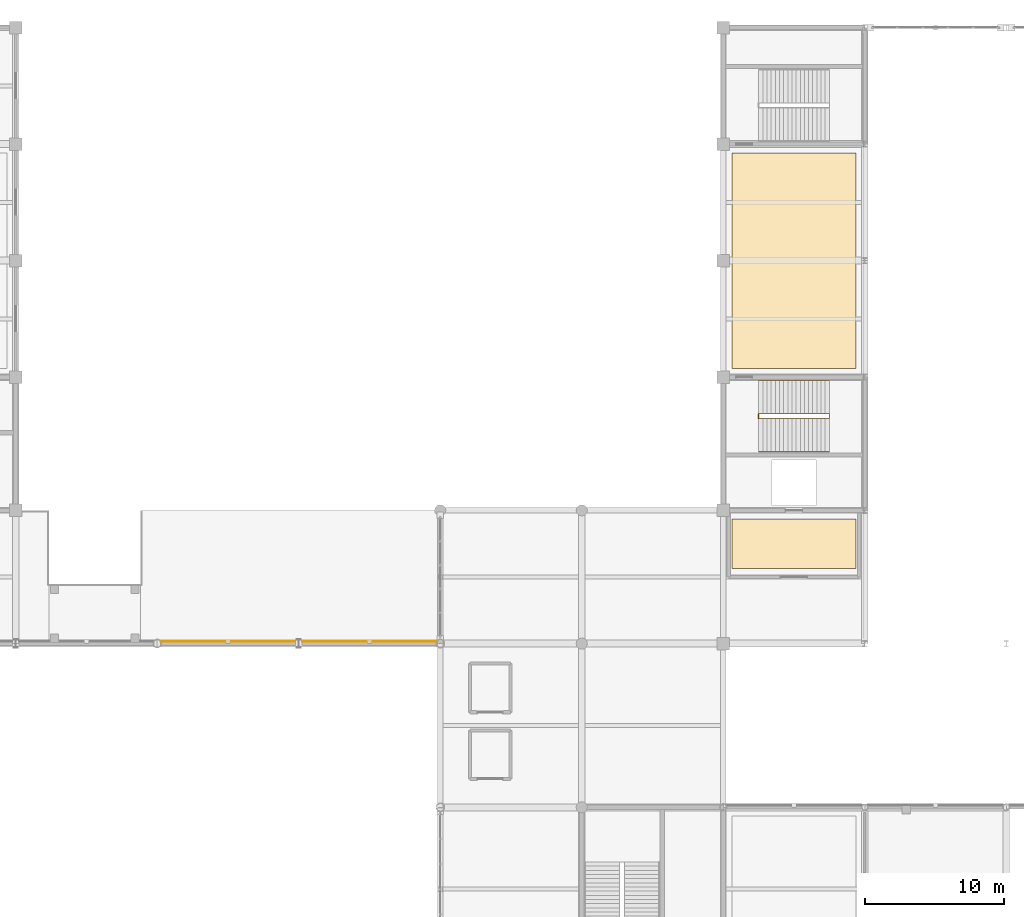
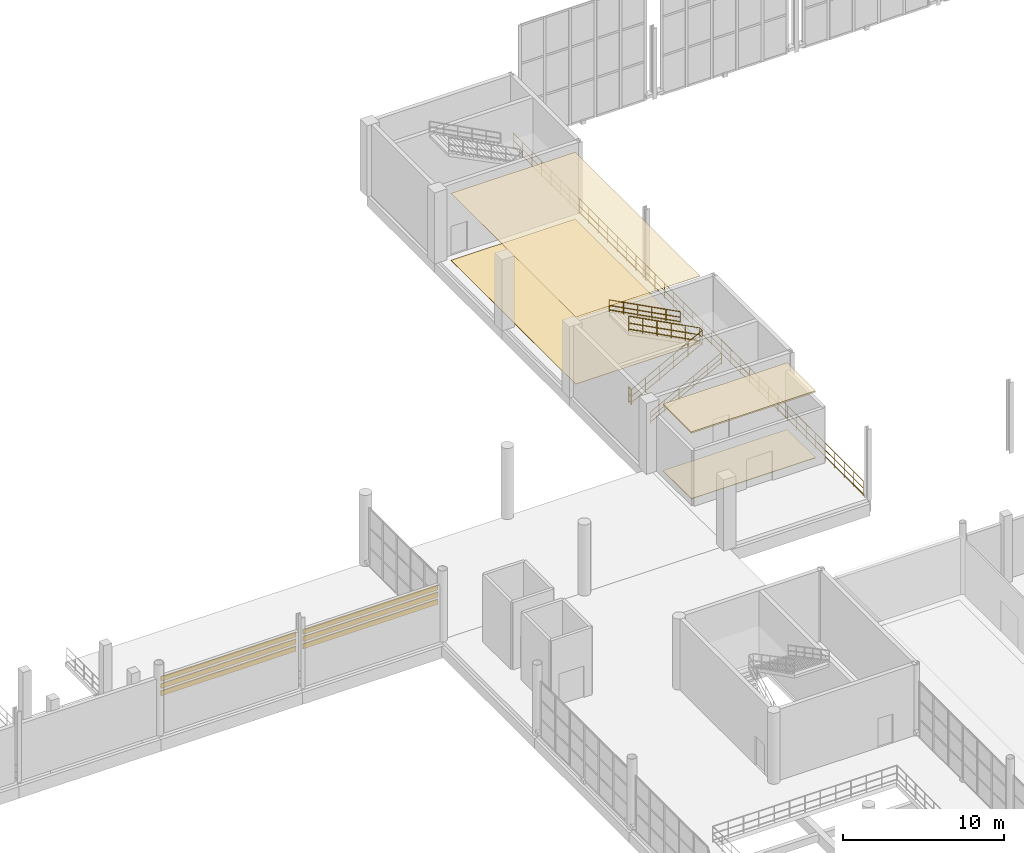
# One storey, part 171 of 175: 10 coverings, 5 railings.
"""IFC4 building model written with IfcOpenShell, lengths in metres."""

from ifc_helpers import new_model, si_unit, direction, frame, origin, origin_2d, place, context, subcontext, project, spatial, polyline, circle, outline, extrude, material, layer, layer_set, type_object, element, save


model = new_model("IFC4")

# Units and contexts
model_context = context("Model", 3, precision=1e-05, world=origin(), true_north=direction((0.0, 1.0)))
body_context = subcontext(model_context, "Body", "Model", "MODEL_VIEW")
ifc_project = project(units=[si_unit("LENGTHUNIT", "METRE"), si_unit("AREAUNIT", "SQUARE_METRE"), si_unit("VOLUMEUNIT", "CUBIC_METRE"), si_unit("PLANEANGLEUNIT", "RADIAN"), si_unit("MASSUNIT", "GRAM", prefix="KILO")], contexts=[model_context])

# Site, building, storey
site_placement = place(None, origin())
site = spatial("IfcSite", under=ifc_project, at=site_placement, CompositionType="ELEMENT")
building_placement = place(site_placement, origin())
building = spatial("IfcBuilding", under=site, at=building_placement, Name="Brelvane Convention Centre", CompositionType="ELEMENT")
storey_placement = place(building_placement, frame((0.0, 0.0, 5.39990234375)))
storey = spatial("IfcBuildingStorey", under=building, at=storey_placement, Name="L01", CompositionType="ELEMENT", Elevation=5.39990234375)

# Coverings
ifc_material_1 = material(Name="Patinated Copper-Bronze Alloy C22000")
ifc_layer_1 = layer(ifc_material_1, 0.044921875)
ifc_layer_set_1 = layer_set([ifc_layer_1], Name="Patinated Copper-Bronze Alloy C22000")
covering_type_1 = type_object("IfcCoveringType", Name="Envelope Covering CL-CU1", PredefinedType="CLADDING", material=ifc_layer_set_1)
covering_1_placement = place(storey_placement, frame((0.0, 0.0, 3.77001953125)))
element("IfcCovering", 1, at=covering_1_placement, inside=storey, type_object=covering_type_1, Name="Copper-Bronze Hull Band L01-V1N-L01-13-1", PredefinedType="CLADDING", context=body_context, shape_type="SweptSolid", body=[
    extrude(outline(polyline([(122.639892578125, 99.740966796875), (132.360107421875, 99.740966796875), (132.360107421875, 99.785888671875), (122.639892578125, 99.785888671875), (122.639892578125, 99.740966796875)])), origin(), (0.0, 0.0, 1.0), 0.380126953125),
])
covering_2_placement = place(storey_placement, frame((0.0, 0.0, 3.77001953125)))
element("IfcCovering", 2, at=covering_2_placement, inside=storey, type_object=covering_type_1, Name="Copper-Bronze Hull Band L01-V1N-L01-14-1", PredefinedType="CLADDING", context=body_context, shape_type="SweptSolid", body=[
    extrude(outline(polyline([(132.840087890625, 99.740966796875), (142.56005859375, 99.740966796875), (142.56005859375, 99.785888671875), (132.840087890625, 99.785888671875), (132.840087890625, 99.740966796875)])), origin(), (0.0, 0.0, 1.0), 0.380126953125),
])
ifc_material_2 = material(Name="Patinated Copper-Bronze Alloy C22000")
ifc_layer_2 = layer(ifc_material_2, 0.054931640625)
ifc_layer_set_2 = layer_set([ifc_layer_2], Name="Patinated Copper-Bronze Alloy C22000")
covering_type_2 = type_object("IfcCoveringType", Name="Envelope Covering CL-CU2", PredefinedType="CLADDING", material=ifc_layer_set_2)
covering_3_placement = place(storey_placement, frame((0.0, 0.0, 3.22021484375)))
element("IfcCovering", 3, at=covering_3_placement, inside=storey, type_object=covering_type_2, Name="Copper-Bronze Hull Band L01-V1N-L01-13-2", PredefinedType="CLADDING", context=body_context, shape_type="SweptSolid", body=[
    extrude(outline(polyline([(122.639892578125, 99.740966796875), (132.360107421875, 99.740966796875), (132.360107421875, 99.7958984375), (122.639892578125, 99.7958984375), (122.639892578125, 99.740966796875)])), origin(), (0.0, 0.0, 1.0), 0.3798828125),
])
covering_4_placement = place(storey_placement, frame((0.0, 0.0, 3.22021484375)))
element("IfcCovering", 4, at=covering_4_placement, inside=storey, type_object=covering_type_2, Name="Copper-Bronze Hull Band L01-V1N-L01-14-2", PredefinedType="CLADDING", context=body_context, shape_type="SweptSolid", body=[
    extrude(outline(polyline([(132.840087890625, 99.740966796875), (142.56005859375, 99.740966796875), (142.56005859375, 99.7958984375), (132.840087890625, 99.7958984375), (132.840087890625, 99.740966796875)])), origin(), (0.0, 0.0, 1.0), 0.3798828125),
])
ifc_material_3 = material(Name="Patinated Copper-Bronze Alloy C22000")
ifc_layer_3 = layer(ifc_material_3, 0.06494140625)
ifc_layer_set_3 = layer_set([ifc_layer_3], Name="Patinated Copper-Bronze Alloy C22000")
covering_type_3 = type_object("IfcCoveringType", Name="Envelope Covering CL-CU3", PredefinedType="CLADDING", material=ifc_layer_set_3)
covering_5_placement = place(storey_placement, frame((0.0, 0.0, 2.670166015625)))
element("IfcCovering", 5, at=covering_5_placement, inside=storey, type_object=covering_type_3, Name="Copper-Bronze Hull Band L01-V1N-L01-13-3", PredefinedType="CLADDING", context=body_context, shape_type="SweptSolid", body=[
    extrude(outline(polyline([(122.639892578125, 99.740966796875), (132.360107421875, 99.740966796875), (132.360107421875, 99.805908203125), (122.639892578125, 99.805908203125), (122.639892578125, 99.740966796875)])), origin(), (0.0, 0.0, 1.0), 0.3798828125),
])
covering_6_placement = place(storey_placement, frame((0.0, 0.0, 2.670166015625)))
element("IfcCovering", 6, at=covering_6_placement, inside=storey, type_object=covering_type_3, Name="Copper-Bronze Hull Band L01-V1N-L01-14-3", PredefinedType="CLADDING", context=body_context, shape_type="SweptSolid", body=[
    extrude(outline(polyline([(132.840087890625, 99.740966796875), (142.56005859375, 99.740966796875), (142.56005859375, 99.805908203125), (132.840087890625, 99.805908203125), (132.840087890625, 99.740966796875)])), origin(), (0.0, 0.0, 1.0), 0.3798828125),
])
ifc_material_4 = material(Name="Perforated Anodised Aluminium Alloy 6063 Acoustic Baffle", Category="aluminium")
ifc_layer_4 = layer(ifc_material_4, 0.110107421875)
ifc_layer_set_4 = layer_set([ifc_layer_4], Name="Perforated Anodised Aluminium Alloy 6063 Acoustic Baffle")
covering_type_4 = type_object("IfcCoveringType", Name="Interior Finish CL-BAF-110", PredefinedType="CEILING", material=ifc_layer_set_4)
covering_7_placement = place(storey_placement, frame((0.0, 0.0, 5.010009765625)))
element("IfcCovering", 7, at=covering_7_placement, inside=storey, type_object=covering_type_4, Name="Firefighting Lift Lobby C5 Acoustic Ceiling (CL-BAF-110)", PredefinedType="CEILING", context=body_context, shape_type="SweptSolid", body=[
    extrude(outline(polyline([(163.830078125, 105.030029296875), (172.77001953125, 105.030029296875), (172.77001953125, 108.570068359375), (163.830078125, 108.570068359375), (163.830078125, 105.030029296875)])), origin(), (0.0, 0.0, 1.0), 0.110107421875),
])
ifc_material_5 = material(Name="Moisture-Resistant Acoustic Gypsum Ceiling Tile Grade A")
ifc_layer_5 = layer(ifc_material_5, 0.01806640625)
ifc_layer_set_5 = layer_set([ifc_layer_5], Name="Moisture-Resistant Acoustic Gypsum Ceiling Tile Grade A")
covering_type_5 = type_object("IfcCoveringType", Name="Interior Finish CL-GYP-18", PredefinedType="CEILING", material=ifc_layer_set_5)
covering_8_placement = place(storey_placement, frame((0.0, 0.0, 5.10205078125)))
element("IfcCovering", 8, at=covering_8_placement, inside=storey, type_object=covering_type_5, Name="Pre-function Foyer Ballroom Gallery Acoustic Ceiling (CL-GYP-18)", PredefinedType="CEILING", context=body_context, shape_type="SweptSolid", body=[
    extrude(outline(polyline([(163.830078125, 119.429931640625), (172.77001953125, 119.429931640625), (172.77001953125, 134.969970703125), (163.830078125, 134.969970703125), (163.830078125, 119.429931640625)])), origin(), (0.0, 0.0, 1.0), 0.01806640625),
])
ifc_material_6 = material(Name="Solution-Dyed Heavy Contract Wool Carpet Class 1")
ifc_layer_6 = layer(ifc_material_6, 0.02197265625)
ifc_layer_set_6 = layer_set([ifc_layer_6], Name="Solution-Dyed Heavy Contract Wool Carpet Class 1")
covering_type_6 = type_object("IfcCoveringType", Name="Interior Finish FL-CPT-22", PredefinedType="FLOORING", material=ifc_layer_set_6)
covering_9_placement = place(storey_placement, origin())
element("IfcCovering", 9, at=covering_9_placement, inside=storey, type_object=covering_type_6, Name="Pre-function Foyer Ballroom Gallery Floor Finish (FL-CPT-22)", PredefinedType="FLOORING", context=body_context, shape_type="SweptSolid", body=[
    extrude(outline(polyline([(163.830078125, 119.429931640625), (172.77001953125, 119.429931640625), (172.77001953125, 134.969970703125), (163.830078125, 134.969970703125), (163.830078125, 119.429931640625)])), origin(), (0.0, 0.0, 1.0), 0.022216796875),
])
ifc_material_7 = material(Name="Heavy-Duty Quartz-Filled Industrial Epoxy Screed Grade A")
ifc_layer_7 = layer(ifc_material_7, 0.044921875)
ifc_layer_set_7 = layer_set([ifc_layer_7], Name="Heavy-Duty Quartz-Filled Industrial Epoxy Screed Grade A")
covering_type_7 = type_object("IfcCoveringType", Name="Interior Finish FL-EPX-45", PredefinedType="FLOORING", material=ifc_layer_set_7)
covering_10_placement = place(storey_placement, origin())
element("IfcCovering", 10, at=covering_10_placement, inside=storey, type_object=covering_type_7, Name="Firefighting Lift Lobby C5 Floor Finish (FL-EPX-45)", PredefinedType="FLOORING", context=body_context, shape_type="SweptSolid", body=[
    extrude(outline(polyline([(163.830078125, 105.030029296875), (172.77001953125, 105.030029296875), (172.77001953125, 108.570068359375), (163.830078125, 108.570068359375), (163.830078125, 105.030029296875)])), origin(), (0.0, 0.0, 1.0), 0.045166015625),
])

# Railings
ifc_material_8 = material(Name="Steel E350 (350 MPa)", Category="steel")
railing_type_1 = type_object("IfcRailingType", Name="Railing BL-ATR-1", PredefinedType="BALUSTRADE", material=ifc_material_8)
railing_1_placement = place(storey_placement, frame((173.280029296875, 100.0, 0.0)))
element("IfcRailing", 11, at=railing_1_placement, inside=storey, type_object=railing_type_1, Name="Railing BL-ATR-1 L01-ball_overlook_l01", PredefinedType="BALUSTRADE", context=body_context, shape_type="SweptSolid", body=[
    extrude(circle(Radius=0.02392578125, at=origin_2d()), frame((0.0, 0.0, 1.15576171875), z_axis=(0.0, 1.0, 0.0), x_axis=(-1.0, 0.0, 0.0)), (0.0, 0.0, 1.0), 43.60009765625),
    extrude(circle(Radius=0.02392578125, at=origin_2d()), frame((0.0, 0.0, 0.613525390625), z_axis=(0.0, 1.0, 0.0), x_axis=(-1.0, 0.0, 0.0)), (0.0, 0.0, 1.0), 43.60009765625),
    extrude(circle(Radius=0.02392578125, at=origin_2d()), frame((0.0, 0.0, 0.139892578125), z_axis=(0.0, 1.0, 0.0), x_axis=(-1.0, 0.0, 0.0)), (0.0, 0.0, 1.0), 43.60009765625),
    extrude(circle(Radius=0.02099609375, at=origin_2d()), origin(), (0.0, 0.0, 1.0), 1.1318359375),
    extrude(circle(Radius=0.02099609375, at=origin_2d()), frame((0.0, 1.178466796875, 0.0)), (0.0, 0.0, 1.0), 1.1318359375),
    extrude(circle(Radius=0.02099609375, at=origin_2d()), frame((0.0, 2.356689453125, 0.0)), (0.0, 0.0, 1.0), 1.1318359375),
    extrude(circle(Radius=0.02099609375, at=origin_2d()), frame((0.0, 3.53515625, 0.0)), (0.0, 0.0, 1.0), 1.1318359375),
    extrude(circle(Radius=0.02099609375, at=origin_2d()), frame((0.0, 4.713623046875, 0.0)), (0.0, 0.0, 1.0), 1.1318359375),
    extrude(circle(Radius=0.02099609375, at=origin_2d()), frame((0.0, 5.891845703125, 0.0)), (0.0, 0.0, 1.0), 1.1318359375),
    extrude(circle(Radius=0.02099609375, at=origin_2d()), frame((0.0, 7.0703125, 0.0)), (0.0, 0.0, 1.0), 1.1318359375),
    extrude(circle(Radius=0.02099609375, at=origin_2d()), frame((0.0, 8.248779296875, 0.0)), (0.0, 0.0, 1.0), 1.1318359375),
    extrude(circle(Radius=0.02099609375, at=origin_2d()), frame((0.0, 9.427001953125, 0.0)), (0.0, 0.0, 1.0), 1.1318359375),
    extrude(circle(Radius=0.02099609375, at=origin_2d()), frame((0.0, 10.60546875, 0.0)), (0.0, 0.0, 1.0), 1.1318359375),
    extrude(circle(Radius=0.02099609375, at=origin_2d()), frame((0.0, 11.78369140625, 0.0)), (0.0, 0.0, 1.0), 1.1318359375),
    extrude(circle(Radius=0.02099609375, at=origin_2d()), frame((0.0, 12.962158203125, 0.0)), (0.0, 0.0, 1.0), 1.1318359375),
    extrude(circle(Radius=0.02099609375, at=origin_2d()), frame((0.0, 14.140625, 0.0)), (0.0, 0.0, 1.0), 1.1318359375),
    extrude(circle(Radius=0.02099609375, at=origin_2d()), frame((0.0, 15.31884765625, 0.0)), (0.0, 0.0, 1.0), 1.1318359375),
    extrude(circle(Radius=0.02099609375, at=origin_2d()), frame((0.0, 16.497314453125, 0.0)), (0.0, 0.0, 1.0), 1.1318359375),
    extrude(circle(Radius=0.02099609375, at=origin_2d()), frame((0.0, 17.67578125, 0.0)), (0.0, 0.0, 1.0), 1.1318359375),
    extrude(circle(Radius=0.02099609375, at=origin_2d()), frame((0.0, 18.85400390625, 0.0)), (0.0, 0.0, 1.0), 1.1318359375),
    extrude(circle(Radius=0.02099609375, at=origin_2d()), frame((0.0, 20.032470703125, 0.0)), (0.0, 0.0, 1.0), 1.1318359375),
    extrude(circle(Radius=0.02099609375, at=origin_2d()), frame((0.0, 21.2109375, 0.0)), (0.0, 0.0, 1.0), 1.1318359375),
    extrude(circle(Radius=0.02099609375, at=origin_2d()), frame((0.0, 22.38916015625, 0.0)), (0.0, 0.0, 1.0), 1.1318359375),
    extrude(circle(Radius=0.02099609375, at=origin_2d()), frame((0.0, 23.567626953125, 0.0)), (0.0, 0.0, 1.0), 1.1318359375),
    extrude(circle(Radius=0.02099609375, at=origin_2d()), frame((0.0, 24.74609375, 0.0)), (0.0, 0.0, 1.0), 1.1318359375),
    extrude(circle(Radius=0.02099609375, at=origin_2d()), frame((0.0, 25.92431640625, 0.0)), (0.0, 0.0, 1.0), 1.1318359375),
    extrude(circle(Radius=0.02099609375, at=origin_2d()), frame((0.0, 27.102783203125, 0.0)), (0.0, 0.0, 1.0), 1.1318359375),
    extrude(circle(Radius=0.02099609375, at=origin_2d()), frame((0.0, 28.28125, 0.0)), (0.0, 0.0, 1.0), 1.1318359375),
    extrude(circle(Radius=0.02099609375, at=origin_2d()), frame((0.0, 29.45947265625, 0.0)), (0.0, 0.0, 1.0), 1.1318359375),
    extrude(circle(Radius=0.02099609375, at=origin_2d()), frame((0.0, 30.637939453125, 0.0)), (0.0, 0.0, 1.0), 1.1318359375),
    extrude(circle(Radius=0.02099609375, at=origin_2d()), frame((0.0, 31.81640625, 0.0)), (0.0, 0.0, 1.0), 1.1318359375),
    extrude(circle(Radius=0.02099609375, at=origin_2d()), frame((0.0, 32.99462890625, 0.0)), (0.0, 0.0, 1.0), 1.1318359375),
    extrude(circle(Radius=0.02099609375, at=origin_2d()), frame((0.0, 34.173095703125, 0.0)), (0.0, 0.0, 1.0), 1.1318359375),
    extrude(circle(Radius=0.02099609375, at=origin_2d()), frame((0.0, 35.351318359375, 0.0)), (0.0, 0.0, 1.0), 1.1318359375),
    extrude(circle(Radius=0.02099609375, at=origin_2d()), frame((0.0, 36.52978515625, 0.0)), (0.0, 0.0, 1.0), 1.1318359375),
    extrude(circle(Radius=0.02099609375, at=origin_2d()), frame((0.0, 37.708251953125, 0.0)), (0.0, 0.0, 1.0), 1.1318359375),
    extrude(circle(Radius=0.02099609375, at=origin_2d()), frame((0.0, 38.886474609375, 0.0)), (0.0, 0.0, 1.0), 1.1318359375),
    extrude(circle(Radius=0.02099609375, at=origin_2d()), frame((0.0, 40.06494140625, 0.0)), (0.0, 0.0, 1.0), 1.1318359375),
    extrude(circle(Radius=0.02099609375, at=origin_2d()), frame((0.0, 41.243408203125, 0.0)), (0.0, 0.0, 1.0), 1.1318359375),
    extrude(circle(Radius=0.02099609375, at=origin_2d()), frame((0.0, 42.421630859375, 0.0)), (0.0, 0.0, 1.0), 1.1318359375),
    extrude(circle(Radius=0.02099609375, at=origin_2d()), frame((0.0, 43.60009765625, 0.0)), (0.0, 0.0, 1.0), 1.1318359375),
])
ifc_material_9 = material(Name="Steel E350 (350 MPa)", Category="steel")
railing_type_2 = type_object("IfcRailingType", Name="Stair Railing GR-ST-1", PredefinedType="GUARDRAIL", material=ifc_material_9)
railing_2_placement = place(storey_placement, frame((165.75, 115.840087890625, -0.02001953125)))
element("IfcRailing", 12, at=railing_2_placement, inside=storey, type_object=railing_type_2, Name="Stair ST-05 L01 Inner Well Guard", PredefinedType="GUARDRAIL", context=body_context, shape_type="SweptSolid", body=[
    extrude(circle(Radius=0.02392578125, at=origin_2d()), frame((0.0, 0.0, 1.1259765625), z_axis=(0.882341248864, 0.0, 0.470610157724), x_axis=(0.0, 1.0, 0.0)), (0.0, 0.0, 1.0), 5.7802734375),
    extrude(circle(Radius=0.02392578125, at=origin_2d()), frame((0.0, 0.0, 0.597900390625), z_axis=(0.882341248864, 0.0, 0.470610157724), x_axis=(0.0, 1.0, 0.0)), (0.0, 0.0, 1.0), 5.7802734375),
    extrude(circle(Radius=0.02392578125, at=origin_2d()), frame((0.0, 0.0, 0.139892578125), z_axis=(0.882341248864, 0.0, 0.470610157724), x_axis=(0.0, 1.0, 0.0)), (0.0, 0.0, 1.0), 5.7802734375),
    extrude(circle(Radius=0.02392578125, at=origin_2d()), frame((5.10009765625, 0.0, 3.84619140625), z_axis=(0.0, 1.0, 0.0), x_axis=(-1.0, 0.0, 0.0)), (0.0, 0.0, 1.0), 0.31982421875),
    extrude(circle(Radius=0.02392578125, at=origin_2d()), frame((5.10009765625, 0.0, 3.318115234375), z_axis=(0.0, 1.0, 0.0), x_axis=(-1.0, 0.0, 0.0)), (0.0, 0.0, 1.0), 0.31982421875),
    extrude(circle(Radius=0.02392578125, at=origin_2d()), frame((5.10009765625, 0.0, 2.860107421875), z_axis=(0.0, 1.0, 0.0), x_axis=(-1.0, 0.0, 0.0)), (0.0, 0.0, 1.0), 0.31982421875),
    extrude(circle(Radius=0.02392578125, at=origin_2d()), frame((5.10009765625, 0.31982421875, 3.84619140625), z_axis=(-0.885227801088, 0.0, 0.465157758379), x_axis=(0.0, -1.0, 0.0)), (0.0, 0.0, 1.0), 5.76123046875),
    extrude(circle(Radius=0.02392578125, at=origin_2d()), frame((5.10009765625, 0.31982421875, 3.318115234375), z_axis=(-0.885227801088, 0.0, 0.465157758379), x_axis=(0.0, -1.0, 0.0)), (0.0, 0.0, 1.0), 5.76123046875),
    extrude(circle(Radius=0.02392578125, at=origin_2d()), frame((5.10009765625, 0.31982421875, 2.860107421875), z_axis=(-0.885227801088, 0.0, 0.465157758379), x_axis=(0.0, -1.0, 0.0)), (0.0, 0.0, 1.0), 5.76123046875),
    extrude(circle(Radius=0.02099609375, at=origin_2d()), origin(), (0.0, 0.0, 1.0), 1.101806640625),
    extrude(circle(Radius=0.02099609375, at=origin_2d()), frame((1.02001953125, 0.0, 0.5439453125)), (0.0, 0.0, 1.0), 1.101806640625),
    extrude(circle(Radius=0.02099609375, at=origin_2d()), frame((2.0400390625, 0.0, 1.088134765625)), (0.0, 0.0, 1.0), 1.101806640625),
    extrude(circle(Radius=0.02099609375, at=origin_2d()), frame((3.06005859375, 0.0, 1.632080078125)), (0.0, 0.0, 1.0), 1.101806640625),
    extrude(circle(Radius=0.02099609375, at=origin_2d()), frame((4.080078125, 0.0, 2.17626953125)), (0.0, 0.0, 1.0), 1.101806640625),
    extrude(circle(Radius=0.02099609375, at=origin_2d()), frame((5.10009765625, 0.0, 2.72021484375)), (0.0, 0.0, 1.0), 1.101806640625),
    extrude(circle(Radius=0.02099609375, at=origin_2d()), frame((5.10009765625, 0.31982421875, 2.72021484375)), (0.0, 0.0, 1.0), 1.101806640625),
    extrude(circle(Radius=0.02099609375, at=origin_2d()), frame((4.080078125, 0.31982421875, 3.256103515625)), (0.0, 0.0, 1.0), 1.101806640625),
    extrude(circle(Radius=0.02099609375, at=origin_2d()), frame((3.06005859375, 0.31982421875, 3.792236328125)), (0.0, 0.0, 1.0), 1.101806640625),
    extrude(circle(Radius=0.02099609375, at=origin_2d()), frame((2.0400390625, 0.31982421875, 4.328125)), (0.0, 0.0, 1.0), 1.101806640625),
    extrude(circle(Radius=0.02099609375, at=origin_2d()), frame((1.02001953125, 0.31982421875, 4.8642578125)), (0.0, 0.0, 1.0), 1.101806640625),
    extrude(circle(Radius=0.02099609375, at=origin_2d()), frame((0.0, 0.31982421875, 5.400146484375)), (0.0, 0.0, 1.0), 1.101806640625),
])
ifc_material_10 = material(Name="Steel E350 (350 MPa)", Category="steel")
railing_type_3 = type_object("IfcRailingType", Name="Stair Railing GR-ST-2", PredefinedType="GUARDRAIL", material=ifc_material_10)
railing_3_placement = place(storey_placement, frame((165.75, 115.840087890625, -0.02001953125)))
element("IfcRailing", 13, at=railing_3_placement, inside=storey, type_object=railing_type_3, Name="Stair ST-05 L01 Landing Well Guard", PredefinedType="GUARDRAIL", context=body_context, shape_type="SweptSolid", body=[
    extrude(circle(Radius=0.02392578125, at=origin_2d()), frame((0.0, 0.0, 1.15576171875), z_axis=(0.0, 1.0, 0.0), x_axis=(-1.0, 0.0, 0.0)), (0.0, 0.0, 1.0), 0.31982421875),
    extrude(circle(Radius=0.02392578125, at=origin_2d()), frame((0.0, 0.0, 0.613525390625), z_axis=(0.0, 1.0, 0.0), x_axis=(-1.0, 0.0, 0.0)), (0.0, 0.0, 1.0), 0.31982421875),
    extrude(circle(Radius=0.02392578125, at=origin_2d()), frame((0.0, 0.0, 0.139892578125), z_axis=(0.0, 1.0, 0.0), x_axis=(-1.0, 0.0, 0.0)), (0.0, 0.0, 1.0), 0.31982421875),
    extrude(circle(Radius=0.02099609375, at=origin_2d()), origin(), (0.0, 0.0, 1.0), 1.1318359375),
    extrude(circle(Radius=0.02099609375, at=origin_2d()), frame((0.0, 0.31982421875, 0.0)), (0.0, 0.0, 1.0), 1.1318359375),
])
ifc_material_11 = material(Name="Steel E350 (350 MPa)", Category="steel")
railing_type_4 = type_object("IfcRailingType", Name="Stair Railing HR-ST-1", PredefinedType="HANDRAIL", material=ifc_material_11)
railing_4_placement = place(storey_placement, frame((165.75, 113.429931640625, -0.02001953125)))
element("IfcRailing", 14, at=railing_4_placement, inside=storey, type_object=railing_type_4, Name="Stair ST-05 L01 Outer Handrail F1", PredefinedType="HANDRAIL", context=body_context, shape_type="SweptSolid", body=[
    extrude(circle(Radius=0.02392578125, at=origin_2d()), frame((0.0, 0.0, 0.89599609375), z_axis=(0.882341248864, 0.0, 0.470610157724), x_axis=(0.0, 1.0, 0.0)), (0.0, 0.0, 1.0), 5.7802734375),
    extrude(circle(Radius=0.02392578125, at=origin_2d()), frame((0.0, 0.0, 0.478271484375), z_axis=(0.882341248864, 0.0, 0.470610157724), x_axis=(0.0, 1.0, 0.0)), (0.0, 0.0, 1.0), 5.7802734375),
    extrude(circle(Radius=0.02392578125, at=origin_2d()), frame((0.0, 0.0, 0.139892578125), z_axis=(0.882341248864, 0.0, 0.470610157724), x_axis=(0.0, 1.0, 0.0)), (0.0, 0.0, 1.0), 5.7802734375),
    extrude(circle(Radius=0.02099609375, at=origin_2d()), origin(), (0.0, 0.0, 1.0), 0.871826171875),
    extrude(circle(Radius=0.02099609375, at=origin_2d()), frame((1.02001953125, 0.0, 0.5439453125)), (0.0, 0.0, 1.0), 0.871826171875),
    extrude(circle(Radius=0.02099609375, at=origin_2d()), frame((2.0400390625, 0.0, 1.088134765625)), (0.0, 0.0, 1.0), 0.871826171875),
    extrude(circle(Radius=0.02099609375, at=origin_2d()), frame((3.06005859375, 0.0, 1.632080078125)), (0.0, 0.0, 1.0), 0.871826171875),
    extrude(circle(Radius=0.02099609375, at=origin_2d()), frame((4.080078125, 0.0, 2.17626953125)), (0.0, 0.0, 1.0), 0.871826171875),
    extrude(circle(Radius=0.02099609375, at=origin_2d()), frame((5.10009765625, 0.0, 2.72021484375)), (0.0, 0.0, 1.0), 0.871826171875),
])
railing_5_placement = place(storey_placement, frame((170.85009765625, 118.570068359375, 2.7001953125)))
element("IfcRailing", 15, at=railing_5_placement, inside=storey, type_object=railing_type_4, Name="Stair ST-05 L01 Outer Handrail F2", PredefinedType="HANDRAIL", context=body_context, shape_type="SweptSolid", body=[
    extrude(circle(Radius=0.02392578125, at=origin_2d()), frame((0.0, 0.0, 0.89599609375), z_axis=(-0.885227801088, 0.0, 0.465157758379), x_axis=(0.0, -1.0, 0.0)), (0.0, 0.0, 1.0), 5.76123046875),
    extrude(circle(Radius=0.02392578125, at=origin_2d()), frame((0.0, 0.0, 0.478271484375), z_axis=(-0.885227801088, 0.0, 0.465157758379), x_axis=(0.0, -1.0, 0.0)), (0.0, 0.0, 1.0), 5.76123046875),
    extrude(circle(Radius=0.02392578125, at=origin_2d()), frame((0.0, 0.0, 0.139892578125), z_axis=(-0.885227801088, 0.0, 0.465157758379), x_axis=(0.0, -1.0, 0.0)), (0.0, 0.0, 1.0), 5.76123046875),
    extrude(circle(Radius=0.02099609375, at=origin_2d()), origin(), (0.0, 0.0, 1.0), 0.871826171875),
    extrude(circle(Radius=0.02099609375, at=origin_2d()), frame((-1.02001953125, 0.0, 0.535888671875)), (0.0, 0.0, 1.0), 0.871826171875),
    extrude(circle(Radius=0.02099609375, at=origin_2d()), frame((-2.0400390625, 0.0, 1.072021484375)), (0.0, 0.0, 1.0), 0.871826171875),
    extrude(circle(Radius=0.02099609375, at=origin_2d()), frame((-3.06005859375, 0.0, 1.60791015625)), (0.0, 0.0, 1.0), 0.871826171875),
    extrude(circle(Radius=0.02099609375, at=origin_2d()), frame((-4.080078125, 0.0, 2.14404296875)), (0.0, 0.0, 1.0), 0.871826171875),
    extrude(circle(Radius=0.02099609375, at=origin_2d()), frame((-5.10009765625, 0.0, 2.679931640625)), (0.0, 0.0, 1.0), 0.871826171875),
])

save(model, "model.ifc")
